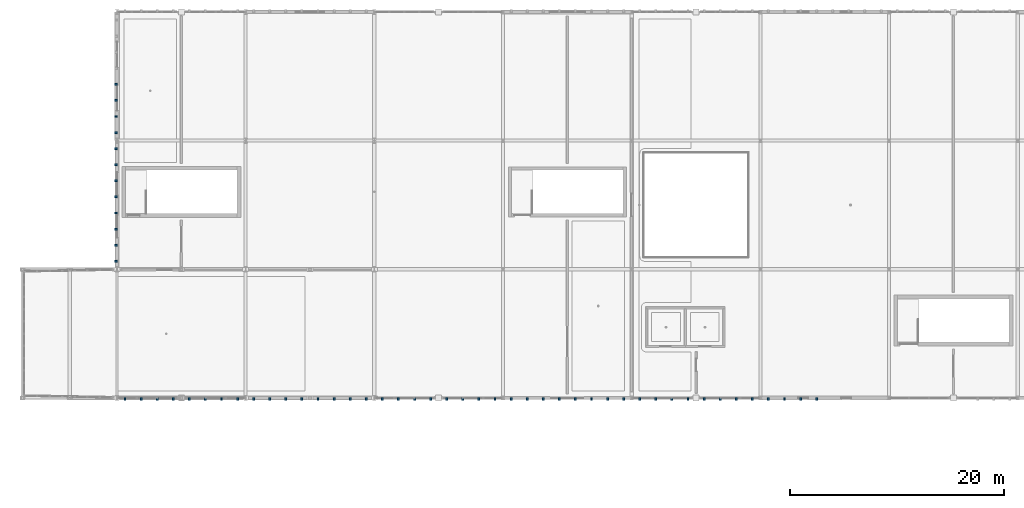
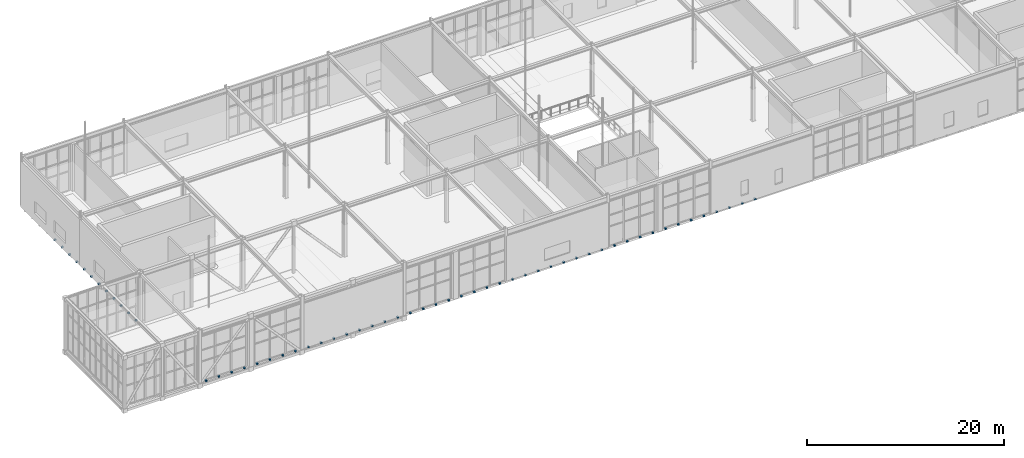
# One storey, part 49 of 62: 56 discrete accessories.
"""IFC4 building model written with IfcOpenShell, lengths in metres."""

from ifc_helpers import new_model, si_unit, direction, frame, origin, origin_2d, place, context, subcontext, project, spatial, rectangle, extrude, material, type_object, element, save


model = new_model("IFC4")

# Units and contexts
model_context = context("Model", 3, precision=1e-05, world=origin(), true_north=direction((0.0, 1.0)))
body_context = subcontext(model_context, "Body", "Model", "MODEL_VIEW")
ifc_project = project(units=[si_unit("LENGTHUNIT", "METRE"), si_unit("AREAUNIT", "SQUARE_METRE"), si_unit("VOLUMEUNIT", "CUBIC_METRE"), si_unit("PLANEANGLEUNIT", "RADIAN"), si_unit("MASSUNIT", "GRAM", prefix="KILO")], contexts=[model_context])

# Site, building, storey
site_placement = place(None, origin())
site = spatial("IfcSite", under=ifc_project, at=site_placement, CompositionType="ELEMENT")
building_placement = place(site_placement, origin())
building = spatial("IfcBuilding", under=site, at=building_placement, Name="Zlatogorsky Bluff Art Gallery", CompositionType="ELEMENT")
storey_placement = place(building_placement, frame((0.0, 0.0, 16.800048828125)))
storey = spatial("IfcBuildingStorey", under=building, at=storey_placement, Name="L03", CompositionType="ELEMENT", Elevation=16.800048828125)

# Discrete accessories
ifc_material = material(Name="Steel S355", Category="steel")
discrete_accessory_type = type_object("IfcDiscreteAccessoryType", Name="Stainless Facade Fin Bracket BRK-01", PredefinedType="BRACKET", material=ifc_material)
for number, where, z_axis, x_axis, name in (
    (1, (0.75, 83.919921875, -0.1298828125), (0.0, 0.0, 1.0), (1.0, 0.0, 0.0), "Fin slab-edge bracket S.001.L03"),
    (2, (2.25, 83.919921875, -0.1298828125), (0.0, 0.0, 1.0), (1.0, 0.0, 0.0), "Fin slab-edge bracket S.002.L03"),
    (3, (3.75, 83.919921875, -0.1298828125), (0.0, 0.0, 1.0), (1.0, 0.0, 0.0), "Fin slab-edge bracket S.003.L03"),
    (4, (5.25, 83.919921875, -0.1298828125), (0.0, 0.0, 1.0), (1.0, 0.0, 0.0), "Fin slab-edge bracket S.004.L03"),
    (5, (6.75, 83.919921875, -0.1298828125), (0.0, 0.0, 1.0), (1.0, 0.0, 0.0), "Fin slab-edge bracket S.005.L03"),
    (6, (8.25, 83.919921875, -0.1298828125), (0.0, 0.0, 1.0), (1.0, 0.0, 0.0), "Fin slab-edge bracket S.006.L03"),
    (7, (9.75, 83.919921875, -0.1298828125), (0.0, 0.0, 1.0), (1.0, 0.0, 0.0), "Fin slab-edge bracket S.007.L03"),
    (8, (11.25, 83.919921875, -0.1298828125), (0.0, 0.0, 1.0), (1.0, 0.0, 0.0), "Fin slab-edge bracket S.008.L03"),
    (9, (12.75, 83.919921875, -0.1298828125), (0.0, 0.0, 1.0), (1.0, 0.0, 0.0), "Fin slab-edge bracket S.009.L03"),
    (10, (14.25, 83.919921875, -0.1298828125), (0.0, 0.0, 1.0), (1.0, 0.0, 0.0), "Fin slab-edge bracket S.010.L03"),
    (11, (15.75, 83.919921875, -0.1298828125), (0.0, 0.0, 1.0), (1.0, 0.0, 0.0), "Fin slab-edge bracket S.011.L03"),
    (12, (17.25, 83.919921875, -0.1298828125), (0.0, 0.0, 1.0), (1.0, 0.0, 0.0), "Fin slab-edge bracket S.012.L03"),
    (13, (18.75, 83.919921875, -0.1298828125), (0.0, 0.0, 1.0), (1.0, 0.0, 0.0), "Fin slab-edge bracket S.013.L03"),
    (14, (20.25, 83.919921875, -0.1298828125), (0.0, 0.0, 1.0), (1.0, 0.0, 0.0), "Fin slab-edge bracket S.014.L03"),
    (15, (21.75, 83.919921875, -0.1298828125), (0.0, 0.0, 1.0), (1.0, 0.0, 0.0), "Fin slab-edge bracket S.015.L03"),
    (16, (23.25, 83.919921875, -0.1298828125), (0.0, 0.0, 1.0), (1.0, 0.0, 0.0), "Fin slab-edge bracket S.016.L03"),
    (17, (24.75, 83.919921875, -0.1298828125), (0.0, 0.0, 1.0), (1.0, 0.0, 0.0), "Fin slab-edge bracket S.017.L03"),
    (18, (26.25, 83.919921875, -0.1298828125), (0.0, 0.0, 1.0), (1.0, 0.0, 0.0), "Fin slab-edge bracket S.018.L03"),
    (19, (27.75, 83.919921875, -0.1298828125), (0.0, 0.0, 1.0), (1.0, 0.0, 0.0), "Fin slab-edge bracket S.019.L03"),
    (20, (29.25, 83.919921875, -0.1298828125), (0.0, 0.0, 1.0), (1.0, 0.0, 0.0), "Fin slab-edge bracket S.020.L03"),
    (21, (30.75, 83.919921875, -0.1298828125), (0.0, 0.0, 1.0), (1.0, 0.0, 0.0), "Fin slab-edge bracket S.021.L03"),
    (22, (32.25, 83.919921875, -0.1298828125), (0.0, 0.0, 1.0), (1.0, 0.0, 0.0), "Fin slab-edge bracket S.022.L03"),
    (23, (33.75, 83.919921875, -0.1298828125), (0.0, 0.0, 1.0), (1.0, 0.0, 0.0), "Fin slab-edge bracket S.023.L03"),
    (24, (35.25, 83.919921875, -0.1298828125), (0.0, 0.0, 1.0), (1.0, 0.0, 0.0), "Fin slab-edge bracket S.024.L03"),
    (25, (36.75, 83.919921875, -0.1298828125), (0.0, 0.0, 1.0), (1.0, 0.0, 0.0), "Fin slab-edge bracket S.025.L03"),
    (26, (38.25, 83.919921875, -0.1298828125), (0.0, 0.0, 1.0), (1.0, 0.0, 0.0), "Fin slab-edge bracket S.026.L03"),
    (27, (39.75, 83.919921875, -0.1298828125), (0.0, 0.0, 1.0), (1.0, 0.0, 0.0), "Fin slab-edge bracket S.027.L03"),
    (28, (41.25, 83.919921875, -0.1298828125), (0.0, 0.0, 1.0), (1.0, 0.0, 0.0), "Fin slab-edge bracket S.028.L03"),
    (29, (42.75, 83.919921875, -0.1298828125), (0.0, 0.0, 1.0), (1.0, 0.0, 0.0), "Fin slab-edge bracket S.029.L03"),
    (30, (44.25, 83.919921875, -0.1298828125), (0.0, 0.0, 1.0), (1.0, 0.0, 0.0), "Fin slab-edge bracket S.030.L03"),
    (31, (45.75, 83.919921875, -0.1298828125), (0.0, 0.0, 1.0), (1.0, 0.0, 0.0), "Fin slab-edge bracket S.031.L03"),
    (32, (47.25, 83.919921875, -0.1298828125), (0.0, 0.0, 1.0), (1.0, 0.0, 0.0), "Fin slab-edge bracket S.032.L03"),
    (33, (48.75, 83.919921875, -0.1298828125), (0.0, 0.0, 1.0), (1.0, 0.0, 0.0), "Fin slab-edge bracket S.033.L03"),
    (34, (50.25, 83.919921875, -0.1298828125), (0.0, 0.0, 1.0), (1.0, 0.0, 0.0), "Fin slab-edge bracket S.034.L03"),
    (35, (51.75, 83.919921875, -0.1298828125), (0.0, 0.0, 1.0), (1.0, 0.0, 0.0), "Fin slab-edge bracket S.035.L03"),
    (36, (53.25, 83.919921875, -0.1298828125), (0.0, 0.0, 1.0), (1.0, 0.0, 0.0), "Fin slab-edge bracket S.036.L03"),
    (37, (54.75, 83.919921875, -0.1298828125), (0.0, 0.0, 1.0), (1.0, 0.0, 0.0), "Fin slab-edge bracket S.037.L03"),
    (38, (56.25, 83.919921875, -0.1298828125), (0.0, 0.0, 1.0), (1.0, 0.0, 0.0), "Fin slab-edge bracket S.038.L03"),
    (39, (57.75, 83.919921875, -0.1298828125), (0.0, 0.0, 1.0), (1.0, 0.0, 0.0), "Fin slab-edge bracket S.039.L03"),
    (40, (59.25, 83.919921875, -0.1298828125), (0.0, 0.0, 1.0), (1.0, 0.0, 0.0), "Fin slab-edge bracket S.040.L03"),
    (41, (60.75, 83.919921875, -0.1298828125), (0.0, 0.0, 1.0), (1.0, 0.0, 0.0), "Fin slab-edge bracket S.041.L03"),
    (42, (62.25, 83.919921875, -0.1298828125), (0.0, 0.0, 1.0), (1.0, 0.0, 0.0), "Fin slab-edge bracket S.042.L03"),
    (43, (63.75, 83.919921875, -0.1298828125), (0.0, 0.0, 1.0), (1.0, 0.0, 0.0), "Fin slab-edge bracket S.043.L03"),
    (44, (65.25, 83.919921875, -0.1298828125), (0.0, 0.0, 1.0), (1.0, 0.0, 0.0), "Fin slab-edge bracket S.044.L03"),
):
    element("IfcDiscreteAccessory", number, at=place(storey_placement, frame(where, z_axis=z_axis, x_axis=x_axis)), inside=storey, type_object=discrete_accessory_type, Name=name, PredefinedType="BRACKET", context=body_context, shape_type="SweptSolid", body=[
        extrude(rectangle(XDim=0.179931640625, YDim=0.239990234375, at=origin_2d()), origin(), (0.0, 0.0, 1.0), 0.179931640625),
    ])
for number, where, z_axis, x_axis, name in (
    (45, (-0.080078125, 96.75, -0.1298828125), (0.0, 0.0, 1.0), (1.0, 0.0, 0.0), "Fin slab-edge bracket W.144.L03"),
    (46, (-0.080078125, 98.25, -0.1298828125), (0.0, 0.0, 1.0), (1.0, 0.0, 0.0), "Fin slab-edge bracket W.145.L03"),
    (47, (-0.080078125, 99.75, -0.1298828125), (0.0, 0.0, 1.0), (1.0, 0.0, 0.0), "Fin slab-edge bracket W.146.L03"),
    (48, (-0.080078125, 101.25, -0.1298828125), (0.0, 0.0, 1.0), (1.0, 0.0, 0.0), "Fin slab-edge bracket W.147.L03"),
    (49, (-0.080078125, 102.75, -0.1298828125), (0.0, 0.0, 1.0), (1.0, 0.0, 0.0), "Fin slab-edge bracket W.148.L03"),
    (50, (-0.080078125, 104.25, -0.1298828125), (0.0, 0.0, 1.0), (1.0, 0.0, 0.0), "Fin slab-edge bracket W.149.L03"),
    (51, (-0.080078125, 105.75, -0.1298828125), (0.0, 0.0, 1.0), (1.0, 0.0, 0.0), "Fin slab-edge bracket W.150.L03"),
    (52, (-0.080078125, 107.25, -0.1298828125), (0.0, 0.0, 1.0), (1.0, 0.0, 0.0), "Fin slab-edge bracket W.151.L03"),
    (53, (-0.080078125, 108.75, -0.1298828125), (0.0, 0.0, 1.0), (1.0, 0.0, 0.0), "Fin slab-edge bracket W.152.L03"),
    (54, (-0.080078125, 110.25, -0.1298828125), (0.0, 0.0, 1.0), (1.0, 0.0, 0.0), "Fin slab-edge bracket W.153.L03"),
    (55, (-0.080078125, 111.75, -0.1298828125), (0.0, 0.0, 1.0), (1.0, 0.0, 0.0), "Fin slab-edge bracket W.154.L03"),
    (56, (-0.080078125, 113.25, -0.1298828125), (0.0, 0.0, 1.0), (1.0, 0.0, 0.0), "Fin slab-edge bracket W.155.L03"),
):
    element("IfcDiscreteAccessory", number, at=place(storey_placement, frame(where, z_axis=z_axis, x_axis=x_axis)), inside=storey, type_object=discrete_accessory_type, Name=name, PredefinedType="BRACKET", context=body_context, shape_type="SweptSolid", body=[
        extrude(rectangle(XDim=0.239990234375, YDim=0.179931640625, at=origin_2d()), origin(), (0.0, 0.0, 1.0), 0.179931640625),
    ])

save(model, "model.ifc")
